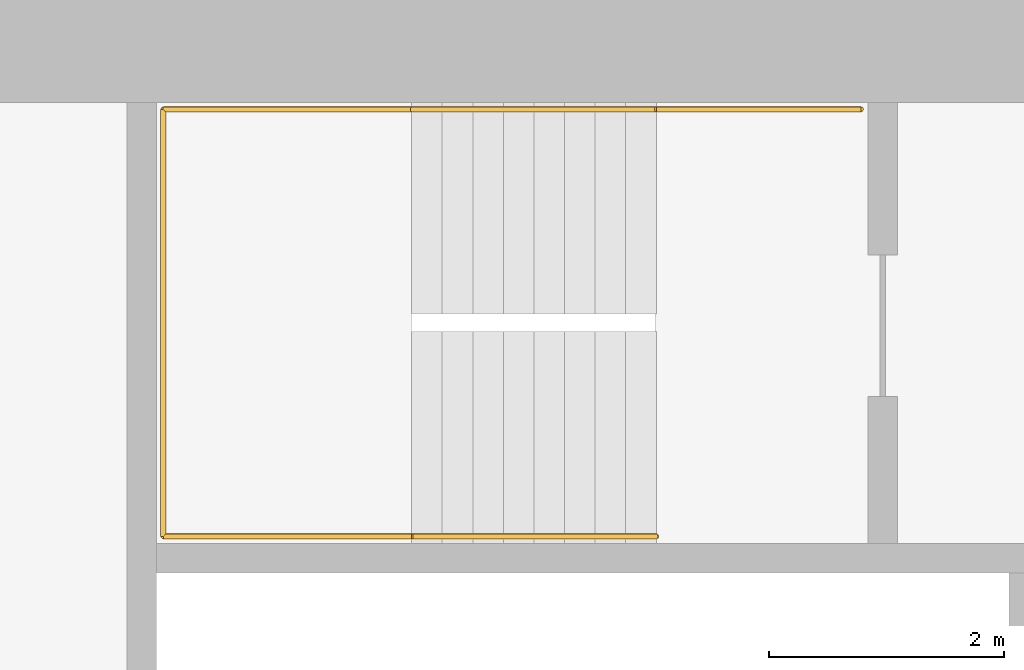
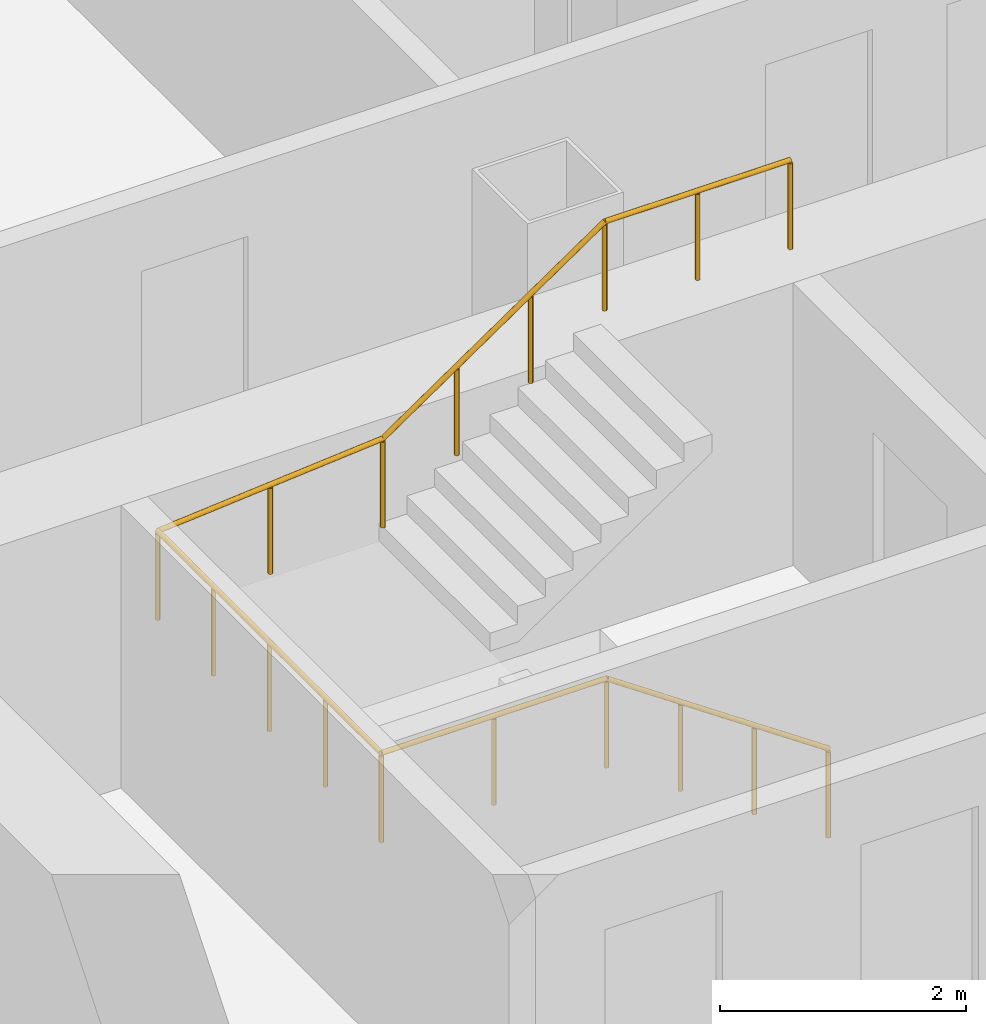
# One storey, part 28 of 33: 1 railing.
"""IFC4 building model written with IfcOpenShell, lengths in metres."""

import ifcopenshell
import ifcopenshell.guid

model = None  # the IFC model being written
_history = None  # IfcOwnerHistory: only IFC2X3 demands one
_inside = {}  # id of a spatial element -> (the spatial element, [elements in it])
_under = {}  # id of a project, library or spatial element -> (it, [spatial elements below it])
_declared = {}  # id of a project -> (the project, [libraries it declares])
_typed = {}  # id of a type object -> (the type object, [elements of that type])
_made_of = {}  # id of a material, layer set ... -> (it, [elements and type objects made of it])


def new_model(schema):
    """Start an empty IFC model of exactly this schema.

    Asked for "IFC4X3", IfcOpenShell would pick the latest addendum, in which some entities
    have other attributes; the version numbers below select the first issue.
    IFC2X3 requires an IfcOwnerHistory on every rooted entity: one is made here for all.
    """
    global model, _history
    if schema == "IFC4X3":
        model = ifcopenshell.file(schema_version=(4, 3, 0, 0))
    else:
        model = ifcopenshell.file(schema=schema)
    _inside.clear()
    _under.clear()
    _declared.clear()
    _typed.clear()
    _made_of.clear()
    _history = None
    if model.schema == "IFC2X3":
        org = make("IfcOrganization", Name="unknown")
        user = make(
            "IfcPersonAndOrganization",
            ThePerson=make("IfcPerson", FamilyName="unknown"),
            TheOrganization=org,
        )
        app = make(
            "IfcApplication",
            ApplicationDeveloper=org,
            Version="unknown",
            ApplicationFullName="unknown",
            ApplicationIdentifier="unknown",
        )
        _history = make(
            "IfcOwnerHistory",
            OwningUser=user,
            OwningApplication=app,
            ChangeAction="ADDED",
            CreationDate=0,
        )
    return model


def make(cls, **values):
    """One entity of the class cls with the attributes given. An attribute that is None is left unset."""
    return model.create_entity(
        cls, **{name: value for name, value in values.items() if value is not None}
    )


def rooted(cls, **values):
    """An entity with a GlobalId (a new one), such as an element, a storey or a relation."""
    return make(cls, GlobalId=ifcopenshell.guid.new(), OwnerHistory=_history, **values)


def si_unit(unit_type, name, prefix=None):
    """IfcSIUnit, for example si_unit("LENGTHUNIT", "METRE", prefix="MILLI")."""
    return make("IfcSIUnit", UnitType=unit_type, Prefix=prefix, Name=name)


def assignment(units):
    """IfcUnitAssignment: the units of a project."""
    return None if units is None else make("IfcUnitAssignment", Units=units)


def point(xyz):
    """IfcCartesianPoint."""
    return None if xyz is None else make("IfcCartesianPoint", Coordinates=xyz)


def direction(xyz):
    """IfcDirection."""
    return None if xyz is None else make("IfcDirection", DirectionRatios=xyz)


def frame(location, z_axis=None, x_axis=None):
    """IfcAxis2Placement3D, a coordinate frame: its origin and axes. An axis left out is left unset."""
    return make(
        "IfcAxis2Placement3D",
        Location=point(location),
        Axis=direction(z_axis),
        RefDirection=direction(x_axis),
    )


def frame_2d(location, x_axis=None):
    """IfcAxis2Placement2D, a coordinate frame in the plane: its origin and x axis."""
    return make(
        "IfcAxis2Placement2D", Location=point(location), RefDirection=direction(x_axis)
    )


def origin():
    """The frame at (0, 0, 0) with its axes left unset."""
    return frame((0.0, 0.0, 0.0))


def origin_2d():
    """The frame at (0, 0) in the plane with its x axis left unset."""
    return frame_2d((0.0, 0.0))


def place(relative_to, where):
    """IfcLocalPlacement: puts the frame where relative to a parent placement (None: the world)."""
    return make(
        "IfcLocalPlacement", PlacementRelTo=relative_to, RelativePlacement=where
    )


def context(
    kind, dimensions, precision=None, world=None, true_north=None, identifier=None
):
    """IfcGeometricRepresentationContext, for example the 3D "Model" context."""
    return make(
        "IfcGeometricRepresentationContext",
        ContextIdentifier=identifier,
        ContextType=kind,
        CoordinateSpaceDimension=dimensions,
        Precision=precision,
        WorldCoordinateSystem=world,
        TrueNorth=true_north,
    )


def subcontext(parent, identifier, kind, view, scale=None):
    """IfcGeometricRepresentationSubContext, for example "Body" below "Model"."""
    return make(
        "IfcGeometricRepresentationSubContext",
        ContextIdentifier=identifier,
        ContextType=kind,
        ParentContext=parent,
        TargetScale=scale,
        TargetView=view,
    )


def project(units=None, contexts=None):
    """IfcProject with its units and contexts."""
    return rooted(
        "IfcProject",
        Name="project",
        RepresentationContexts=contexts,
        UnitsInContext=assignment(units),
    )


def spatial(cls, under=None, at=None, **own):
    """A site, building, storey or space (cls), placed at a placement, below another one or the project."""
    s = rooted(cls, ObjectPlacement=at, **own)
    if under is not None:
        _under.setdefault(under.id(), (under, []))[1].append(s)
    return s


def profile(cls, at=None, kind="AREA", **sizes):
    """A parametric profile (cls). Its sizes go by their IFC names, for example OverallWidth=200.0."""
    return make(cls, ProfileType=kind, Position=at, **sizes)


def circle(**sizes):
    """IfcCircleProfileDef."""
    return profile("IfcCircleProfileDef", **sizes)


def extrude(swept, where, along, depth):
    """IfcExtrudedAreaSolid: the profile swept, set in the frame where, extruded along a direction by depth."""
    return make(
        "IfcExtrudedAreaSolid",
        SweptArea=swept,
        Position=where,
        ExtrudedDirection=direction(along),
        Depth=depth,
    )


def shape(context_of_items, identifier, shape_type, items):
    """IfcShapeRepresentation: the items that make up one representation, for example the "Body"."""
    return make(
        "IfcShapeRepresentation",
        ContextOfItems=context_of_items,
        RepresentationIdentifier=identifier,
        RepresentationType=shape_type,
        Items=items,
    )


def material(Name=None, Category=None):
    """IfcMaterial."""
    return make("IfcMaterial", Name=Name, Category=Category)


def made_of(thing, what):
    """Note that an element or type object is made of a material, layer set ...; save() writes the relation."""
    if what is not None:
        _made_of.setdefault(what.id(), (what, []))[1].append(thing)
    return thing


def type_object(cls, material=None, **own):
    """A type object (cls), such as IfcWallType, which elements share."""
    return made_of(rooted(cls, **own), material)


def element(
    cls,
    number,
    at=None,
    inside=None,
    cuts=None,
    type_object=None,
    material=None,
    context=None,
    identifier="Body",
    shape_type=None,
    held_by="IfcProductDefinitionShape",
    body=None,
    shapes=None,
    **own,
):
    """One element of the class cls, such as IfcWall. Its Tag is "e" and its number.

    at: its placement. inside: the storey or other place that contains it. cuts: it is an
    opening in that element (IfcRelVoidsElement). A single representation is given by context,
    identifier, shape_type and body (its items); several are given by shapes. held_by: the class
    of the entity that holds the representations. save() writes the other relations.
    """
    e = rooted(cls, Tag="e%d" % number, ObjectPlacement=at, **own)
    if body is not None:
        shapes = [shape(context, identifier, shape_type, body)]
    if shapes is not None:
        e.Representation = make(held_by, Representations=shapes)
    if inside is not None:
        _inside.setdefault(inside.id(), (inside, []))[1].append(e)
    if cuts is not None:
        rooted(
            "IfcRelVoidsElement", RelatingBuildingElement=cuts, RelatedOpeningElement=e
        )
    if type_object is not None:
        _typed.setdefault(type_object.id(), (type_object, []))[1].append(e)
    return made_of(e, material)


def aggregate(whole, parts):
    """IfcRelAggregates: a whole, such as a stair, and the parts it consists of."""
    return rooted("IfcRelAggregates", RelatingObject=whole, RelatedObjects=parts)


def save(model, path):
    """Write the relations noted so far, then the file.

    IfcRelAggregates (storeys below a building ...), IfcRelContainedInSpatialStructure (elements
    in a storey), IfcRelDefinesByType, IfcRelAssociatesMaterial and IfcRelDeclares: one each for
    every whole, place, type object, material and project.
    """
    for whole, parts in _under.values():
        aggregate(whole, parts)
    for where, things in _inside.values():
        rooted(
            "IfcRelContainedInSpatialStructure",
            RelatedElements=things,
            RelatingStructure=where,
        )
    for kind, things in _typed.values():
        rooted("IfcRelDefinesByType", RelatedObjects=things, RelatingType=kind)
    for what, things in _made_of.values():
        rooted("IfcRelAssociatesMaterial", RelatedObjects=things, RelatingMaterial=what)
    for by, libraries in _declared.values():
        rooted("IfcRelDeclares", RelatingContext=by, RelatedDefinitions=libraries)
    model.write(path)


model = new_model("IFC4")

# Units and contexts
model_context = context("Model", 3, precision=1e-05, world=origin(), true_north=direction((0.0, 1.0)))
body_context = subcontext(model_context, "Body", "Model", "MODEL_VIEW")
ifc_project = project(units=[si_unit("LENGTHUNIT", "METRE"), si_unit("AREAUNIT", "SQUARE_METRE"), si_unit("VOLUMEUNIT", "CUBIC_METRE"), si_unit("PLANEANGLEUNIT", "RADIAN"), si_unit("MASSUNIT", "GRAM", prefix="KILO")], contexts=[model_context])

# Site, building, storey
site_placement = place(None, origin())
site = spatial("IfcSite", under=ifc_project, at=site_placement, CompositionType="ELEMENT")
building_placement = place(site_placement, origin())
building = spatial("IfcBuilding", under=site, at=building_placement, Name="Hakoniwa Tower and Hamabe Station Hall", CompositionType="ELEMENT")
storey_placement = place(building_placement, frame((0.0, 0.0, 81.800048828125)))
storey = spatial("IfcBuildingStorey", under=building, at=storey_placement, Name="L22", CompositionType="ELEMENT", Elevation=81.800048828125)

# Railing
ifc_material = material(Name="Stainless steel SUS304", Category="steel")
railing_type = type_object("IfcRailingType", Name="STAIR HANDRAIL 900", PredefinedType="HANDRAIL", material=ifc_material)
railing_placement = place(storey_placement, frame((24.39990234375, 3.81005859375, 0.177734375)))
element("IfcRailing", 1, at=railing_placement, inside=storey, type_object=railing_type, Name="Handrail ST-3 L22 1", PredefinedType="HANDRAIL", context=body_context, shape_type="SweptSolid", body=[
    extrude(circle(Radius=0.02392578125, at=origin_2d()), frame((0.0, 0.0, 0.8759765625), z_axis=(-0.825478349766, 0.0, 0.564433781827), x_axis=(0.0, -1.0, 0.0)), (0.0, 0.0, 1.0), 2.51953125),
    extrude(circle(Radius=0.02392578125, at=origin_2d()), frame((-2.079833984375, 0.0, 2.2978515625), z_axis=(-1.0, 0.0, 0.0), x_axis=(0.0, -1.0, 0.0)), (0.0, 0.0, 1.0), 2.110107421875),
    extrude(circle(Radius=0.02392578125, at=origin_2d()), frame((-4.18994140625, 0.0, 2.2978515625), z_axis=(0.0, 1.0, 0.0), x_axis=(-1.0, 0.0, 0.0)), (0.0, 0.0, 1.0), 3.6298828125),
    extrude(circle(Radius=0.02392578125, at=origin_2d()), frame((-4.18994140625, 3.6298828125, 2.2978515625), z_axis=(0.996461767938, 0.0, 0.084047278587), x_axis=(0.0, 1.0, 0.0)), (0.0, 0.0, 1.0), 2.11767578125),
    extrude(circle(Radius=0.02392578125, at=origin_2d()), frame((-2.079833984375, 3.6298828125, 2.47607421875), z_axis=(0.825478349766, 0.0, 0.564433781827), x_axis=(0.0, 1.0, 0.0)), (0.0, 0.0, 1.0), 2.51953125),
    extrude(circle(Radius=0.02392578125, at=origin_2d()), frame((0.0, 3.6298828125, 3.89794921875), z_axis=(1.0, 0.0, 0.0), x_axis=(0.0, 1.0, 0.0)), (0.0, 0.0, 1.0), 1.739990234375),
    extrude(circle(Radius=0.02099609375, at=origin_2d()), origin(), (0.0, 0.0, 1.0), 0.851806640625),
    extrude(circle(Radius=0.02099609375, at=origin_2d()), frame((-0.693359375, 0.0, 0.47412109375)), (0.0, 0.0, 1.0), 0.851806640625),
    extrude(circle(Radius=0.02099609375, at=origin_2d()), frame((-1.386474609375, 0.0, 0.947998046875)), (0.0, 0.0, 1.0), 0.851806640625),
    extrude(circle(Radius=0.02099609375, at=origin_2d()), frame((-2.079833984375, 0.0, 1.422119140625)), (0.0, 0.0, 1.0), 0.851806640625),
    extrude(circle(Radius=0.02099609375, at=origin_2d()), frame((-3.134765625, 0.0, 1.422119140625)), (0.0, 0.0, 1.0), 0.851806640625),
    extrude(circle(Radius=0.02099609375, at=origin_2d()), frame((-4.18994140625, 0.0, 1.422119140625)), (0.0, 0.0, 1.0), 0.851806640625),
    extrude(circle(Radius=0.02099609375, at=origin_2d()), frame((-4.18994140625, 0.907470703125, 1.422119140625)), (0.0, 0.0, 1.0), 0.851806640625),
    extrude(circle(Radius=0.02099609375, at=origin_2d()), frame((-4.18994140625, 1.81494140625, 1.422119140625)), (0.0, 0.0, 1.0), 0.851806640625),
    extrude(circle(Radius=0.02099609375, at=origin_2d()), frame((-4.18994140625, 2.722412109375, 1.422119140625)), (0.0, 0.0, 1.0), 0.851806640625),
    extrude(circle(Radius=0.02099609375, at=origin_2d()), frame((-4.18994140625, 3.6298828125, 1.422119140625)), (0.0, 0.0, 1.0), 0.851806640625),
    extrude(circle(Radius=0.02099609375, at=origin_2d()), frame((-3.134765625, 3.6298828125, 1.51123046875)), (0.0, 0.0, 1.0), 0.851806640625),
    extrude(circle(Radius=0.02099609375, at=origin_2d()), frame((-2.079833984375, 3.6298828125, 1.60009765625)), (0.0, 0.0, 1.0), 0.851806640625),
    extrude(circle(Radius=0.02099609375, at=origin_2d()), frame((-1.386474609375, 3.6298828125, 2.07421875)), (0.0, 0.0, 1.0), 0.851806640625),
    extrude(circle(Radius=0.02099609375, at=origin_2d()), frame((-0.693359375, 3.6298828125, 2.548095703125)), (0.0, 0.0, 1.0), 0.851806640625),
    extrude(circle(Radius=0.02099609375, at=origin_2d()), frame((0.0, 3.6298828125, 3.022216796875)), (0.0, 0.0, 1.0), 0.851806640625),
    extrude(circle(Radius=0.02099609375, at=origin_2d()), frame((0.8701171875, 3.6298828125, 3.022216796875)), (0.0, 0.0, 1.0), 0.851806640625),
    extrude(circle(Radius=0.02099609375, at=origin_2d()), frame((1.739990234375, 3.6298828125, 3.022216796875)), (0.0, 0.0, 1.0), 0.851806640625),
])

save(model, "model.ifc")
